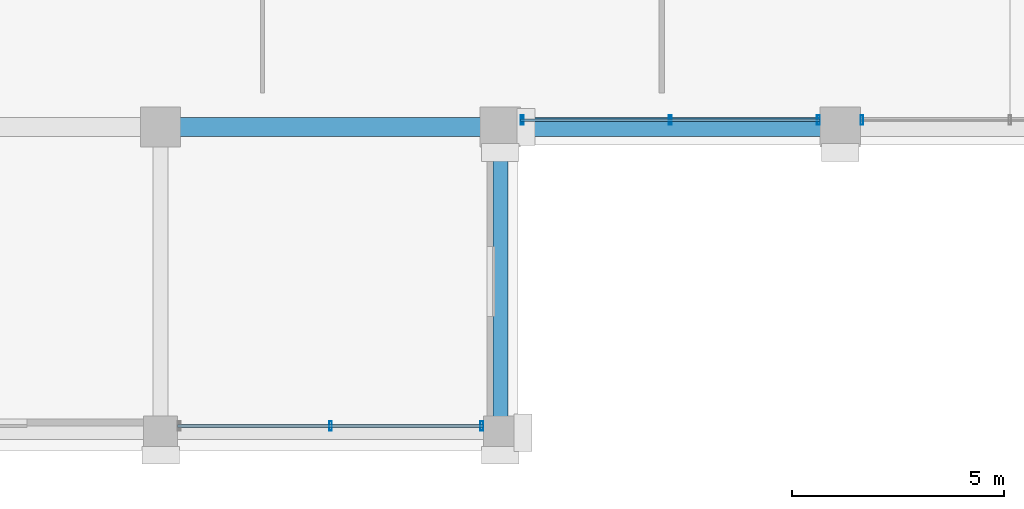
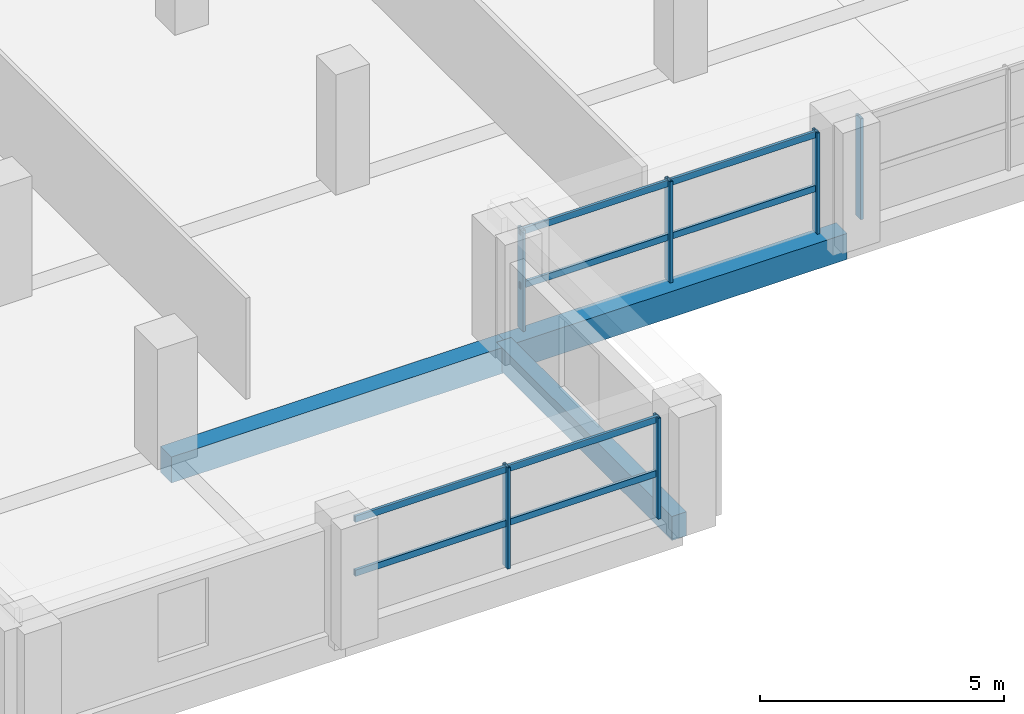
# One storey, part 4 of 22: 10 members, 3 beams, 3 elements without a shape of their own.
"""IFC4 building model written with IfcOpenShell, lengths in metres."""

from ifc_helpers import new_model, si_unit, direction, frame, origin, origin_2d, place, context, subcontext, project, spatial, rectangle, hollow_rectangle, extrude, material, material_profile, profile_set, type_object, element, aggregate, save


model = new_model("IFC4")

# Units and contexts
model_context = context("Model", 3, precision=1e-05, world=origin(), true_north=direction((0.0, 1.0)))
body_context = subcontext(model_context, "Body", "Model", "MODEL_VIEW")
ifc_project = project(units=[si_unit("LENGTHUNIT", "METRE"), si_unit("AREAUNIT", "SQUARE_METRE"), si_unit("VOLUMEUNIT", "CUBIC_METRE"), si_unit("PLANEANGLEUNIT", "RADIAN"), si_unit("MASSUNIT", "GRAM", prefix="KILO")], contexts=[model_context])

# Site, building, storey
site_placement = place(None, origin())
site = spatial("IfcSite", under=ifc_project, at=site_placement, CompositionType="ELEMENT")
building_placement = place(site_placement, origin())
building = spatial("IfcBuilding", under=site, at=building_placement, Name="Akrevak Sports Hall", CompositionType="ELEMENT")
storey_placement = place(building_placement, frame((0.0, 0.0, 40.550048828125)))
storey = spatial("IfcBuildingStorey", under=building, at=storey_placement, Name="L09", CompositionType="ELEMENT", Elevation=40.550048828125)

# Curtain wall, members
ifc_material_1 = material(Name="Anodized Bronze Aluminium & Low-E Glass", Category="aluminium")
curtain_wall_type = type_object("IfcCurtainWallType", Name="ARC-CW-TWR-68x30", PredefinedType="NOTDEFINED", material=ifc_material_1)
curtain_wall_1_placement = place(storey_placement, origin())
curtain_wall_1 = element("IfcCurtainWall", 1, at=curtain_wall_1_placement, inside=storey, type_object=curtain_wall_type, Name="Curtain Wall CW-L09-S02", PredefinedType="NOTDEFINED")
ifc_material_2 = material(Name="Anodized Bronze Aluminium", Category="aluminium")
ifc_material_profile_1 = material_profile(ifc_material_2, hollow_rectangle(XDim=0.06494140625, YDim=0.219970703125, WallThickness=0.00439453125, at=origin_2d()), Name="CWM 65x220", Category="aluminium")
ifc_profile_set_1 = profile_set([ifc_material_profile_1], Name="Anodized Bronze Aluminium")
member_type_1 = type_object("IfcMemberType", Name="ARC-CWM-70x160", PredefinedType="MULLION", material=ifc_profile_set_1)
member_1_placement = place(storey_placement, frame((64.0, 21.760009765625, 0.0), z_axis=(0.0, 0.0, 1.0), x_axis=(1.0, 0.0, 0.0)))
member_1 = element("IfcMember", 2, at=member_1_placement, type_object=member_type_1, Name="Curtain Wall Mullion CW-L09-S02-M2", PredefinedType="MULLION", context=body_context, shape_type="SweptSolid", body=[
    extrude(hollow_rectangle(XDim=0.06494140625, YDim=0.219970703125, WallThickness=0.00439453125, at=origin_2d()), origin(), (0.0, 0.0, 1.0), 2.530029296875),
])
member_2_placement = place(storey_placement, frame((67.56005859375, 21.760009765625, 0.0), z_axis=(0.0, 0.0, 1.0), x_axis=(1.0, 0.0, 0.0)))
member_2 = element("IfcMember", 3, at=member_2_placement, type_object=member_type_1, Name="Curtain Wall Mullion CW-L09-S02-M3", PredefinedType="MULLION", context=body_context, shape_type="SweptSolid", body=[
    extrude(hollow_rectangle(XDim=0.06494140625, YDim=0.219970703125, WallThickness=0.00439453125, at=origin_2d()), origin(), (0.0, 0.0, 1.0), 2.530029296875),
])

curtain_wall_2_placement = place(storey_placement, origin())
curtain_wall_2 = element("IfcCurtainWall", 4, at=curtain_wall_2_placement, inside=storey, type_object=curtain_wall_type, Name="Curtain Wall CW-L09-S04", PredefinedType="NOTDEFINED")
member_3_placement = place(storey_placement, frame((68.514892578125, 28.9599609375, 0.0), z_axis=(0.0, 0.0, 1.0), x_axis=(1.0, 0.0, 0.0)))
member_3 = element("IfcMember", 5, at=member_3_placement, type_object=member_type_1, Name="Curtain Wall Mullion CW-L09-S04-M1", PredefinedType="MULLION", context=body_context, shape_type="SweptSolid", body=[
    extrude(hollow_rectangle(XDim=0.06494140625, YDim=0.219970703125, WallThickness=0.00439453125, at=origin_2d()), origin(), (0.0, 0.0, 1.0), 2.530029296875),
])
member_4_placement = place(storey_placement, frame((72.0, 28.9599609375, 0.0), z_axis=(0.0, 0.0, 1.0), x_axis=(1.0, 0.0, 0.0)))
member_4 = element("IfcMember", 6, at=member_4_placement, type_object=member_type_1, Name="Curtain Wall Mullion CW-L09-S04-M2", PredefinedType="MULLION", context=body_context, shape_type="SweptSolid", body=[
    extrude(hollow_rectangle(XDim=0.06494140625, YDim=0.219970703125, WallThickness=0.00439453125, at=origin_2d()), origin(), (0.0, 0.0, 1.0), 2.530029296875),
])
member_5_placement = place(storey_placement, frame((75.485107421875, 28.9599609375, 0.0), z_axis=(0.0, 0.0, 1.0), x_axis=(1.0, 0.0, 0.0)))
member_5 = element("IfcMember", 7, at=member_5_placement, type_object=member_type_1, Name="Curtain Wall Mullion CW-L09-S04-M3", PredefinedType="MULLION", context=body_context, shape_type="SweptSolid", body=[
    extrude(hollow_rectangle(XDim=0.06494140625, YDim=0.219970703125, WallThickness=0.00439453125, at=origin_2d()), origin(), (0.0, 0.0, 1.0), 2.530029296875),
])

# Curtain wall, member
curtain_wall_3_placement = place(storey_placement, origin())
curtain_wall_3 = element("IfcCurtainWall", 8, at=curtain_wall_3_placement, inside=storey, type_object=curtain_wall_type, Name="Curtain Wall CW-L09-S05", PredefinedType="NOTDEFINED")
member_6_placement = place(storey_placement, frame((76.514892578125, 28.9599609375, 0.0), z_axis=(0.0, 0.0, 1.0), x_axis=(1.0, 0.0, 0.0)))
member_6 = element("IfcMember", 9, at=member_6_placement, type_object=member_type_1, Name="Curtain Wall Mullion CW-L09-S05-M1", PredefinedType="MULLION", context=body_context, shape_type="SweptSolid", body=[
    extrude(hollow_rectangle(XDim=0.06494140625, YDim=0.219970703125, WallThickness=0.00439453125, at=origin_2d()), origin(), (0.0, 0.0, 1.0), 2.530029296875),
])
aggregate(curtain_wall_3, [member_6])

# Member
ifc_material_profile_2 = material_profile(ifc_material_2, hollow_rectangle(XDim=0.06494140625, YDim=0.159912109375, WallThickness=0.00390625, at=origin_2d()), Name="CWT 65x160", Category="aluminium")
ifc_profile_set_2 = profile_set([ifc_material_profile_2], Name="Anodized Bronze Aluminium")
member_type_2 = type_object("IfcMemberType", Name="ARC-CWT-70x130", PredefinedType="USERDEFINED", material=ifc_profile_set_2)
member_7_placement = place(storey_placement, frame((60.39990234375, 21.760009765625, 1.099853515625), z_axis=(1.0, 0.0, 0.0), x_axis=(0.0, 1.0, 0.0)))
member_7 = element("IfcMember", 10, at=member_7_placement, type_object=member_type_2, Name="Curtain Wall Transom CW-L09-S02-T1", ObjectType="TRANSOM", PredefinedType="USERDEFINED", context=body_context, shape_type="SweptSolid", body=[
    extrude(hollow_rectangle(XDim=0.06494140625, YDim=0.159912109375, WallThickness=0.00390625, at=origin_2d()), origin(), (0.0, 0.0, 1.0), 7.2001953125),
])

member_8_placement = place(storey_placement, frame((60.39990234375, 21.760009765625, 2.449951171875), z_axis=(1.0, 0.0, 0.0), x_axis=(0.0, 1.0, 0.0)))
member_8 = element("IfcMember", 11, at=member_8_placement, type_object=member_type_2, Name="Curtain Wall Transom CW-L09-S02-T2", ObjectType="TRANSOM", PredefinedType="USERDEFINED", context=body_context, shape_type="SweptSolid", body=[
    extrude(hollow_rectangle(XDim=0.06494140625, YDim=0.159912109375, WallThickness=0.00390625, at=origin_2d()), origin(), (0.0, 0.0, 1.0), 7.2001953125),
])

aggregate(curtain_wall_1, [member_1, member_2, member_7, member_8])

member_9_placement = place(storey_placement, frame((68.47509765625, 28.9599609375, 1.099853515625), z_axis=(1.0, 0.0, 0.0), x_axis=(0.0, 1.0, 0.0)))
member_9 = element("IfcMember", 12, at=member_9_placement, type_object=member_type_2, Name="Curtain Wall Transom CW-L09-S04-T1", ObjectType="TRANSOM", PredefinedType="USERDEFINED", context=body_context, shape_type="SweptSolid", body=[
    extrude(hollow_rectangle(XDim=0.06494140625, YDim=0.159912109375, WallThickness=0.00390625, at=origin_2d()), origin(), (0.0, 0.0, 1.0), 7.0498046875),
])

member_10_placement = place(storey_placement, frame((68.47509765625, 28.9599609375, 2.449951171875), z_axis=(1.0, 0.0, 0.0), x_axis=(0.0, 1.0, 0.0)))
member_10 = element("IfcMember", 13, at=member_10_placement, type_object=member_type_2, Name="Curtain Wall Transom CW-L09-S04-T2", ObjectType="TRANSOM", PredefinedType="USERDEFINED", context=body_context, shape_type="SweptSolid", body=[
    extrude(hollow_rectangle(XDim=0.06494140625, YDim=0.159912109375, WallThickness=0.00390625, at=origin_2d()), origin(), (0.0, 0.0, 1.0), 7.0498046875),
])

aggregate(curtain_wall_2, [member_3, member_4, member_5, member_9, member_10])

# Beams
ifc_material_3 = material(Name="Concrete C40/50", Category="concrete")
ifc_material_profile_3 = material_profile(ifc_material_3, rectangle(XDim=0.35009765625, YDim=0.60009765625, at=origin_2d()), Name="BM 350x600", Category="concrete")
ifc_profile_set_3 = profile_set([ifc_material_profile_3], Name="Concrete C40/50")
beam_type_1 = type_object("IfcBeamType", Name="STR-BM-RC350x600", PredefinedType="BEAM", material=ifc_profile_set_3)
beam_placement = place(storey_placement, frame((68.0, 21.60009765625, -0.300048828125), z_axis=(0.0, 1.0, 0.0), x_axis=(-1.0, 0.0, 0.0)))
element("IfcBeam", 14, at=beam_placement, inside=storey, type_object=beam_type_1, Name="Girder 10/D-E (L09)", PredefinedType="BEAM", context=body_context, shape_type="SweptSolid", body=[
    extrude(rectangle(XDim=0.35009765625, YDim=0.60009765625, at=origin_2d()), origin(), (0.0, 0.0, 1.0), 7.199951171875),
])
ifc_material_profile_4 = material_profile(ifc_material_3, rectangle(XDim=0.449951171875, YDim=0.64990234375, at=origin_2d()), Name="BM 450x650", Category="concrete")
ifc_profile_set_4 = profile_set([ifc_material_profile_4], Name="Concrete C40/50")
beam_type_2 = type_object("IfcBeamType", Name="STR-BM-RC450x650", PredefinedType="BEAM", material=ifc_profile_set_4)
for number, where, z_axis, x_axis, name in (
    (15, (60.0, 28.800048828125, -0.324951171875), (1.0, 0.0, 0.0), (0.0, 1.0, 0.0), "Girder E/9-10 (L09)"),
    (16, (68.0, 28.800048828125, -0.324951171875), (1.0, 0.0, 0.0), (0.0, 1.0, 0.0), "Girder E/10-11 (L09)"),
):
    element("IfcBeam", number, at=place(storey_placement, frame(where, z_axis=z_axis, x_axis=x_axis)), inside=storey, type_object=beam_type_2, Name=name, PredefinedType="BEAM", context=body_context, shape_type="SweptSolid", body=[
        extrude(rectangle(XDim=0.449951171875, YDim=0.64990234375, at=origin_2d()), origin(), (0.0, 0.0, 1.0), 8.0),
    ])

save(model, "model.ifc")
